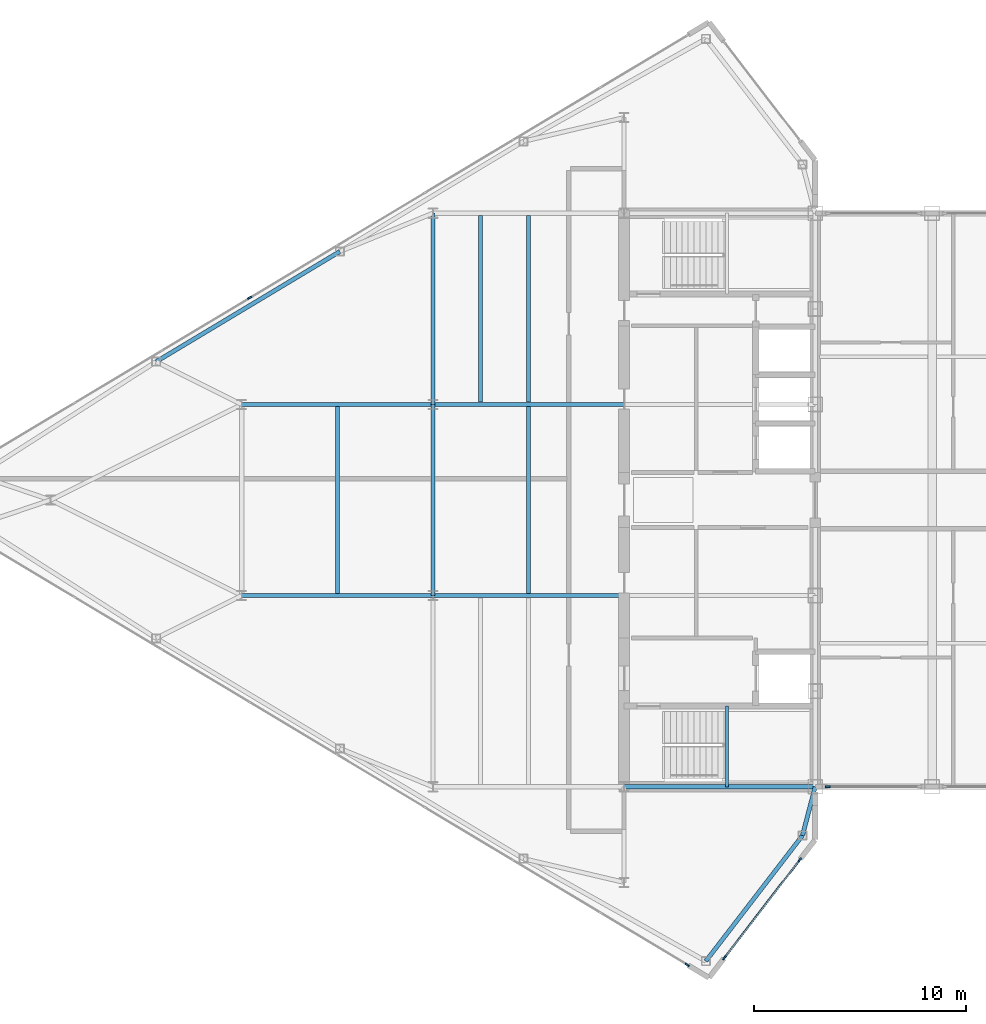
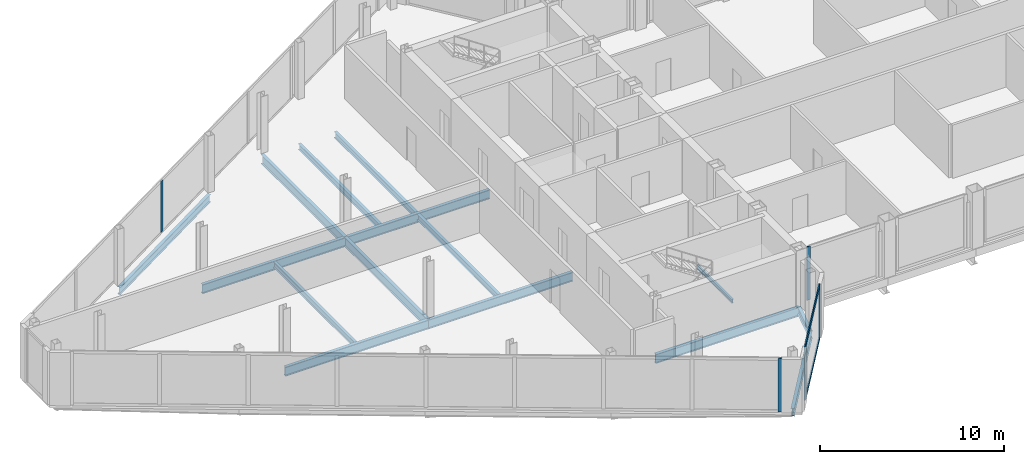
# One storey, part 9 of 28: 15 beams, 7 members, 4 elements without a shape of their own.
"""IFC4 building model written with IfcOpenShell, lengths in metres."""

from ifc_helpers import new_model, si_unit, direction, frame, origin, origin_2d, place, context, subcontext, project, spatial, rectangle, i_section, extrude, source, transform, mapped, material, layer, layer_set, material_profile, profile_set, type_object, type_shapes, element, aggregate, save


model = new_model("IFC4")

# Units and contexts
model_context = context("Model", 3, precision=1e-05, world=origin(), true_north=direction((0.0, 1.0)))
body_context = subcontext(model_context, "Body", "Model", "MODEL_VIEW")
ifc_project = project(units=[si_unit("LENGTHUNIT", "METRE"), si_unit("AREAUNIT", "SQUARE_METRE"), si_unit("VOLUMEUNIT", "CUBIC_METRE"), si_unit("PLANEANGLEUNIT", "RADIAN"), si_unit("MASSUNIT", "GRAM", prefix="KILO")], contexts=[model_context])

# Site, building, storey
site_placement = place(None, origin())
site = spatial("IfcSite", under=ifc_project, at=site_placement, CompositionType="ELEMENT")
building_placement = place(site_placement, origin())
building = spatial("IfcBuilding", under=site, at=building_placement, Name="Seokmaru Belvedere", CompositionType="ELEMENT")
storey_placement = place(building_placement, frame((0.0, 0.0, 261.89990234375)))
storey = spatial("IfcBuildingStorey", under=building, at=storey_placement, Name="L69", CompositionType="ELEMENT", Elevation=261.89990234375)

# Beams
ifc_material_1 = material(Name="Steel SM355 (355 MPa)", Category="steel")
ifc_material_profile_1 = material_profile(ifc_material_1, i_section(OverallWidth=0.199951171875, OverallDepth=0.60009765625, WebThickness=0.010986328125, FlangeThickness=0.01708984375, at=origin_2d()), Name="H-600x200x11x17")
ifc_profile_set_1 = profile_set([ifc_material_profile_1], Name="Steel SM355 (355 MPa)")
beam_type_1 = type_object("IfcBeamType", Name="Primary Floor Girder H-600", PredefinedType="BEAM", material=ifc_profile_set_1)
shared_shape_1 = source(origin(), body_context, "Body", "SweptSolid", [
    extrude(i_section(OverallWidth=0.199951171875, OverallDepth=0.60009765625, WebThickness=0.010986328125, FlangeThickness=0.01708984375, at=origin_2d()), origin(), (0.0, 0.0, 1.0), 9.0),
])
type_shapes(beam_type_1, [shared_shape_1])
for number, where, z_axis, x_axis, name in (
    (1, (-45.5, -4.5, -0.52001953125), (0.0, 1.0, 0.0), (-1.0, 0.0, 0.0), "L69 W Interior Grid Girder 2"),
    (2, (-45.5, 4.5, -0.52001953125), (0.0, 1.0, 0.0), (-1.0, 0.0, 0.0), "L69 W Interior Grid Girder 3"),
    (3, (-36.5, -13.5, -0.52001953125), (1.0, 0.0, 0.0), (0.0, 1.0, 0.0), "L69 W Core Tie Girder 1"),
    (4, (-45.5, -4.5, -0.52001953125), (1.0, 0.0, 0.0), (0.0, 1.0, 0.0), "L69 W Wing Primary Girder 2"),
    (5, (-45.5, 4.5, -0.52001953125), (1.0, 0.0, 0.0), (0.0, 1.0, 0.0), "L69 W Wing Primary Girder 3"),
    (6, (-54.5, -4.5, -0.52001953125), (1.0, 0.0, 0.0), (0.0, 1.0, 0.0), "L69 W Outer Wing Girder 1"),
    (7, (-54.5, 4.5, -0.52001953125), (1.0, 0.0, 0.0), (0.0, 1.0, 0.0), "L69 W Outer Wing Girder 2"),
):
    element("IfcBeam", number, at=place(storey_placement, frame(where, z_axis=z_axis, x_axis=x_axis)), inside=storey, type_object=beam_type_1, Name=name, PredefinedType="BEAM", context=body_context, shape_type="MappedRepresentation", body=[
        mapped(shared_shape_1, transform((0.0, 0.0, 0.0), scale=1.0)),
    ])
ifc_material_profile_2 = material_profile(ifc_material_1, i_section(OverallWidth=0.18505859375, OverallDepth=0.389892578125, WebThickness=0.008056640625, FlangeThickness=0.011962890625, at=origin_2d()), Name="H-390x185x8x12")
ifc_profile_set_2 = profile_set([ifc_material_profile_2], Name="Steel SM355 (355 MPa)")
beam_type_2 = type_object("IfcBeamType", Name="Secondary Floor Joist H-350", PredefinedType="JOIST", material=ifc_profile_set_2)
shared_shape_2 = source(origin(), body_context, "Body", "SweptSolid", [
    extrude(i_section(OverallWidth=0.18505859375, OverallDepth=0.389892578125, WebThickness=0.008056640625, FlangeThickness=0.011962890625, at=origin_2d()), origin(), (0.0, 0.0, 1.0), 8.7900390625),
])
type_shapes(beam_type_2, [shared_shape_2])
for number, where, z_axis, x_axis, name in (
    (8, (-43.25, 4.60498046875, -0.414794921875), (0.0, 1.0, 0.0), (-1.0, 0.0, 0.0), "L69 W Wing Inner Secondary Joist 2"),
    (9, (-41.0, -4.39501953125, -0.414794921875), (0.0, 1.0, 0.0), (-1.0, 0.0, 0.0), "L69 W Secondary Floor Joist 2"),
    (10, (-41.0, 4.60498046875, -0.414794921875), (0.0, 1.0, 0.0), (-1.0, 0.0, 0.0), "L69 W Secondary Floor Joist 3"),
    (11, (-50.0, -4.39501953125, -0.414794921875), (0.0, 1.0, 0.0), (-1.0, 0.0, 0.0), "L69 W Outer Bay Secondary Joist"),
):
    element("IfcBeam", number, at=place(storey_placement, frame(where, z_axis=z_axis, x_axis=x_axis)), inside=storey, type_object=beam_type_2, Name=name, PredefinedType="JOIST", context=body_context, shape_type="MappedRepresentation", body=[
        mapped(shared_shape_2, transform((0.0, 0.0, 0.0), scale=1.0)),
    ])
ifc_material_profile_3 = material_profile(ifc_material_1, i_section(OverallWidth=0.199951171875, OverallDepth=0.5, WebThickness=0.010009765625, FlangeThickness=0.01611328125, at=origin_2d()), Name="H-500x200x10x16")
ifc_profile_set_3 = profile_set([ifc_material_profile_3], Name="Steel SM355 (355 MPa)")
beam_type_3 = type_object("IfcBeamType", Name="Perimeter Spandrel Beam H-500", PredefinedType="SPANDREL", material=ifc_profile_set_3)
shared_shape_3 = source(origin(), body_context, "Body", "SweptSolid", [
    extrude(i_section(OverallWidth=0.199951171875, OverallDepth=0.5, WebThickness=0.010009765625, FlangeThickness=0.01611328125, at=origin_2d()), origin(), (0.0, 0.0, 1.0), 10.087646484375),
])
beam_1_placement = place(storey_placement, frame((-49.8798828125, 11.698974609375, -0.469970703125), z_axis=(-0.857488654804, -0.514502873542, 0.0), x_axis=(0.514502873542, -0.857488654804, 0.0)))
element("IfcBeam", 12, at=beam_1_placement, inside=storey, type_object=beam_type_3, Name="L69 W Faceted Flank Spandrel N-3", PredefinedType="SPANDREL", context=body_context, shape_type="MappedRepresentation", body=[
    mapped(shared_shape_3, transform((0.0, 0.0, 0.0), scale=1.0)),
])
shared_shape_4 = source(origin(), body_context, "Body", "SweptSolid", [
    extrude(i_section(OverallWidth=0.199951171875, OverallDepth=0.5, WebThickness=0.010009765625, FlangeThickness=0.01611328125, at=origin_2d()), origin(), (0.0, 0.0, 1.0), 7.4619140625),
])
beam_2_placement = place(storey_placement, frame((-32.649658203125, -21.71044921875, -0.469970703125), z_axis=(0.609702854945, 0.792630070507, 0.0), x_axis=(-0.792630070507, 0.609702854945, 0.0)))
element("IfcBeam", 13, at=beam_2_placement, inside=storey, type_object=beam_type_3, Name="L69 W Shoulder Chamfer Spandrel S", PredefinedType="SPANDREL", context=body_context, shape_type="MappedRepresentation", body=[
    mapped(shared_shape_4, transform((0.0, 0.0, 0.0), scale=1.0)),
])
shared_shape_5 = source(origin(), body_context, "Body", "SweptSolid", [
    extrude(i_section(OverallWidth=0.199951171875, OverallDepth=0.5, WebThickness=0.010009765625, FlangeThickness=0.01611328125, at=origin_2d()), origin(), (0.0, 0.0, 1.0), 2.373046875),
])
type_shapes(beam_type_3, [shared_shape_3, shared_shape_4, shared_shape_5])
beam_3_placement = place(storey_placement, frame((-28.10009765625, -15.7958984375, -0.469970703125), z_axis=(0.252882558842, 0.967496982648, 0.0), x_axis=(-0.967496982648, 0.252882558842, 0.0)))
element("IfcBeam", 14, at=beam_3_placement, inside=storey, type_object=beam_type_3, Name="L69 W Shoulder Spine Spandrel S", PredefinedType="SPANDREL", context=body_context, shape_type="MappedRepresentation", body=[
    mapped(shared_shape_5, transform((0.0, 0.0, 0.0), scale=1.0)),
])

# Curtain wall, members
ifc_material_2 = material(Name="Bronze Triple Insulating Glass", Category="glass")
ifc_layer = layer(ifc_material_2, 0.219970703125)
ifc_layer_set = layer_set([ifc_layer], Name="Bronze Triple Insulating Glass")
curtain_wall_type = type_object("IfcCurtainWallType", Name="Sky-Gate Bridge Panorama Curtain Wall System CW-6", PredefinedType="NOTDEFINED", material=ifc_layer_set)
curtain_wall_1_placement = place(storey_placement, origin())
curtain_wall_1 = element("IfcCurtainWall", 15, at=curtain_wall_1_placement, inside=storey, type_object=curtain_wall_type, Name="L69 Curtain Wall WF6", PredefinedType="NOTDEFINED")
ifc_material_3 = material(Name="Anodised Bronze Aluminium", Category="aluminium")
ifc_material_profile_4 = material_profile(ifc_material_3, rectangle(XDim=0.074951171875, YDim=0.179931640625, at=origin_2d()), Name="CW-T-75x180")
ifc_profile_set_4 = profile_set([ifc_material_profile_4], Name="Anodised Bronze Aluminium")
member_type_1 = type_object("IfcMemberType", Name="Bronze Unitised Transom 75x180", PredefinedType="USERDEFINED", material=ifc_profile_set_4)
shared_shape_6 = source(origin(), body_context, "Body", "SweptSolid", [
    extrude(rectangle(XDim=0.074951171875, YDim=0.179931640625, at=origin_2d()), origin(), (0.0, 0.0, 1.0), 5.74072265625),
])
type_shapes(member_type_1, [shared_shape_6])
member_1_placement = place(storey_placement, frame((-31.75, -21.525146484375, 0.03759765625), z_axis=(0.609686097287, 0.792642960465, 0.0), x_axis=(-0.792642960465, 0.609686097287, 0.0)))
member_1 = element("IfcMember", 16, at=member_1_placement, type_object=member_type_1, Name="CW:L69:WF6 Continuous Transom 1", ObjectType="TRANSOM", PredefinedType="USERDEFINED", context=body_context, shape_type="MappedRepresentation", body=[
    mapped(shared_shape_6, transform((0.0, 0.0, 0.0), scale=1.0)),
])
member_2_placement = place(storey_placement, frame((-31.75, -21.525146484375, 3.49267578125), z_axis=(0.609686097287, 0.792642960465, 0.0), x_axis=(-0.792642960465, 0.609686097287, 0.0)))
member_2 = element("IfcMember", 17, at=member_2_placement, type_object=member_type_1, Name="CW:L69:WF6 Continuous Transom 2", ObjectType="TRANSOM", PredefinedType="USERDEFINED", context=body_context, shape_type="MappedRepresentation", body=[
    mapped(shared_shape_6, transform((0.0, 0.0, 0.0), scale=1.0)),
])

# Curtain wall, member
curtain_wall_2_placement = place(storey_placement, origin())
curtain_wall_2 = element("IfcCurtainWall", 18, at=curtain_wall_2_placement, inside=storey, type_object=curtain_wall_type, Name="L69 Curtain Wall WF5", PredefinedType="NOTDEFINED")
ifc_material_profile_5 = material_profile(ifc_material_3, rectangle(XDim=0.080078125, YDim=0.219970703125, at=origin_2d()), Name="CW-M-80x220")
ifc_profile_set_5 = profile_set([ifc_material_profile_5], Name="Anodised Bronze Aluminium")
member_type_2 = type_object("IfcMemberType", Name="Bronze Unitised Mullion 80x220", PredefinedType="MULLION", material=ifc_profile_set_5)
shared_shape_7 = source(origin(), body_context, "Body", "SweptSolid", [
    extrude(rectangle(XDim=0.080078125, YDim=0.219970703125, at=origin_2d()), origin(), (0.0, 0.0, 1.0), 3.530029296875),
])
member_3_placement = place(storey_placement, frame((-33.5205078125, -21.8876953125, 0.0), z_axis=(0.0, 0.0, 1.0), x_axis=(0.514494909364, 0.85749343335, 0.0)))
member_3 = element("IfcMember", 19, at=member_3_placement, type_object=member_type_2, Name="CW:L69:WF5 Mullion 9", PredefinedType="MULLION", context=body_context, shape_type="MappedRepresentation", body=[
    mapped(shared_shape_7, transform((0.0, 0.0, 0.0), scale=1.0)),
])
aggregate(curtain_wall_2, [member_3])

# Member
member_4_placement = place(storey_placement, frame((-31.7744140625, -21.556884765625, 0.0), z_axis=(0.0, 0.0, 1.0), x_axis=(-0.792631353244, 0.609701187349, 0.0)))
member_4 = element("IfcMember", 20, at=member_4_placement, type_object=member_type_2, Name="CW:L69:WF6 Mullion 1", PredefinedType="MULLION", context=body_context, shape_type="MappedRepresentation", body=[
    mapped(shared_shape_7, transform((0.0, 0.0, 0.0), scale=1.0)),
])

member_5_placement = place(storey_placement, frame((-28.2255859375, -16.943115234375, 0.0), z_axis=(0.0, 0.0, 1.0), x_axis=(-0.792631353244, 0.609701187349, 0.0)))
member_5 = element("IfcMember", 21, at=member_5_placement, type_object=member_type_2, Name="CW:L69:WF6 Mullion 2", PredefinedType="MULLION", context=body_context, shape_type="MappedRepresentation", body=[
    mapped(shared_shape_7, transform((0.0, 0.0, 0.0), scale=1.0)),
])

aggregate(curtain_wall_1, [member_4, member_5, member_1, member_2])

# Curtain wall, member
curtain_wall_3_placement = place(storey_placement, origin())
curtain_wall_3 = element("IfcCurtainWall", 22, at=curtain_wall_3_placement, inside=storey, type_object=curtain_wall_type, Name="L69 Curtain Wall BR_S01", PredefinedType="NOTDEFINED")
member_6_placement = place(storey_placement, frame((-26.909912109375, -13.5, 0.0), z_axis=(0.0, 0.0, 1.0), x_axis=(0.0, 1.0, 0.0)))
member_6 = element("IfcMember", 23, at=member_6_placement, type_object=member_type_2, Name="CW:L69:BR_S01 Mullion 1", PredefinedType="MULLION", context=body_context, shape_type="MappedRepresentation", body=[
    mapped(shared_shape_7, transform((0.0, 0.0, 0.0), scale=1.0)),
])
aggregate(curtain_wall_3, [member_6])

curtain_wall_4_placement = place(storey_placement, origin())
curtain_wall_4 = element("IfcCurtainWall", 24, at=curtain_wall_4_placement, inside=storey, type_object=curtain_wall_type, Name="L69 Curtain Wall WF3", PredefinedType="NOTDEFINED")
shared_shape_8 = source(origin(), body_context, "Body", "SweptSolid", [
    extrude(rectangle(XDim=0.080078125, YDim=0.219970703125, at=origin_2d()), origin(), (0.0, 0.0, 1.0), 3.3798828125),
])
type_shapes(member_type_2, [shared_shape_7, shared_shape_8])
member_7_placement = place(storey_placement, frame((-54.12841796875, 9.52294921875, 0.0751953125), z_axis=(0.0, 0.0, 1.0), x_axis=(0.514494909364, -0.85749343335, 0.0)))
member_7 = element("IfcMember", 25, at=member_7_placement, type_object=member_type_2, Name="CW:L69:WF3 Mullion 6", PredefinedType="MULLION", context=body_context, shape_type="MappedRepresentation", body=[
    mapped(shared_shape_8, transform((0.0, 0.0, 0.0), scale=1.0)),
])
aggregate(curtain_wall_4, [member_7])

# Beam
ifc_material_profile_6 = material_profile(ifc_material_1, i_section(OverallWidth=0.125, OverallDepth=0.25, WebThickness=0.006103515625, FlangeThickness=0.009033203125, at=origin_2d()), Name="H-250x125x6x9")
ifc_profile_set_6 = profile_set([ifc_material_profile_6], Name="Steel SM355 (355 MPa)")
beam_type_4 = type_object("IfcBeamType", Name="Stair Mid-Landing Support Beam H-250", PredefinedType="JOIST", material=ifc_profile_set_6)
shared_shape_9 = source(origin(), body_context, "Body", "SweptSolid", [
    extrude(i_section(OverallWidth=0.125, OverallDepth=0.25, WebThickness=0.006103515625, FlangeThickness=0.009033203125, at=origin_2d()), origin(), (0.0, 0.0, 1.0), 3.800048828125),
])
type_shapes(beam_type_4, [shared_shape_9])
beam_4_placement = place(storey_placement, frame((-31.64990234375, -13.5, 1.550048828125), z_axis=(0.0, 1.0, 0.0), x_axis=(-1.0, 0.0, 0.0)))
element("IfcBeam", 26, at=beam_4_placement, inside=storey, type_object=beam_type_4, Name="L69 Stair ST-W1 Mid-Landing Support Beam 1", PredefinedType="JOIST", context=body_context, shape_type="MappedRepresentation", body=[
    mapped(shared_shape_9, transform((0.0, 0.0, 0.0), scale=1.0)),
])

save(model, "model.ifc")
